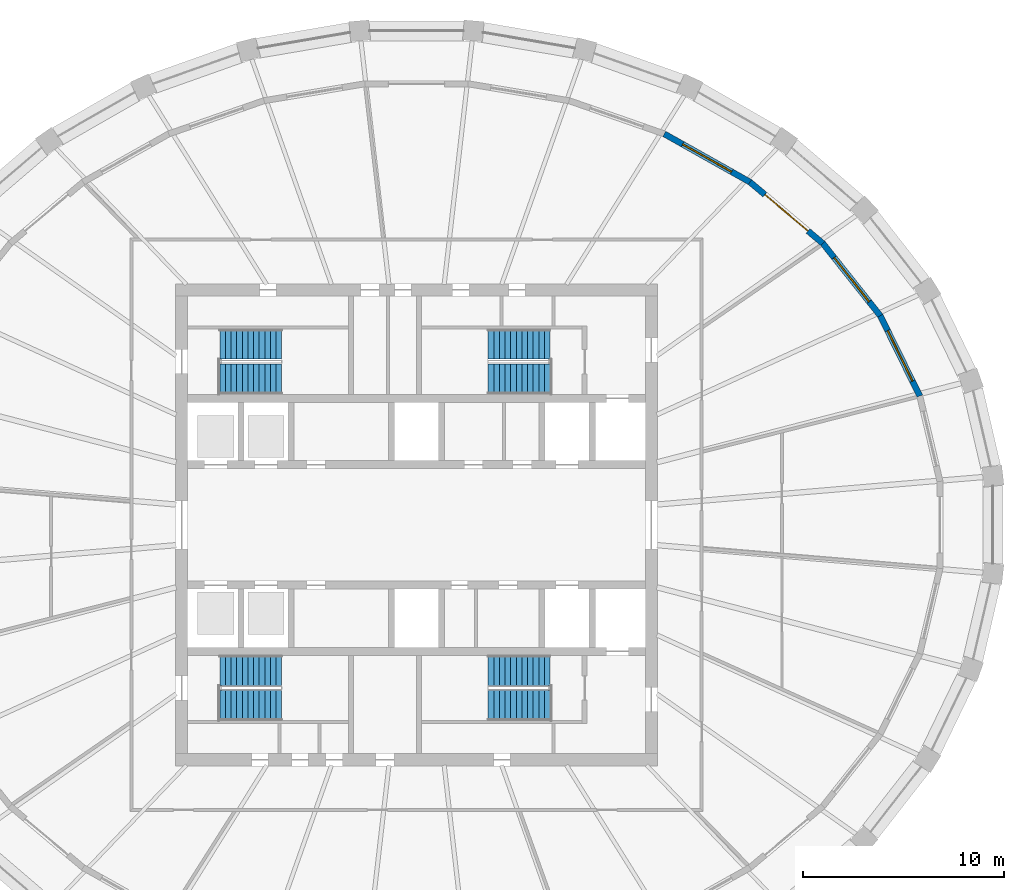
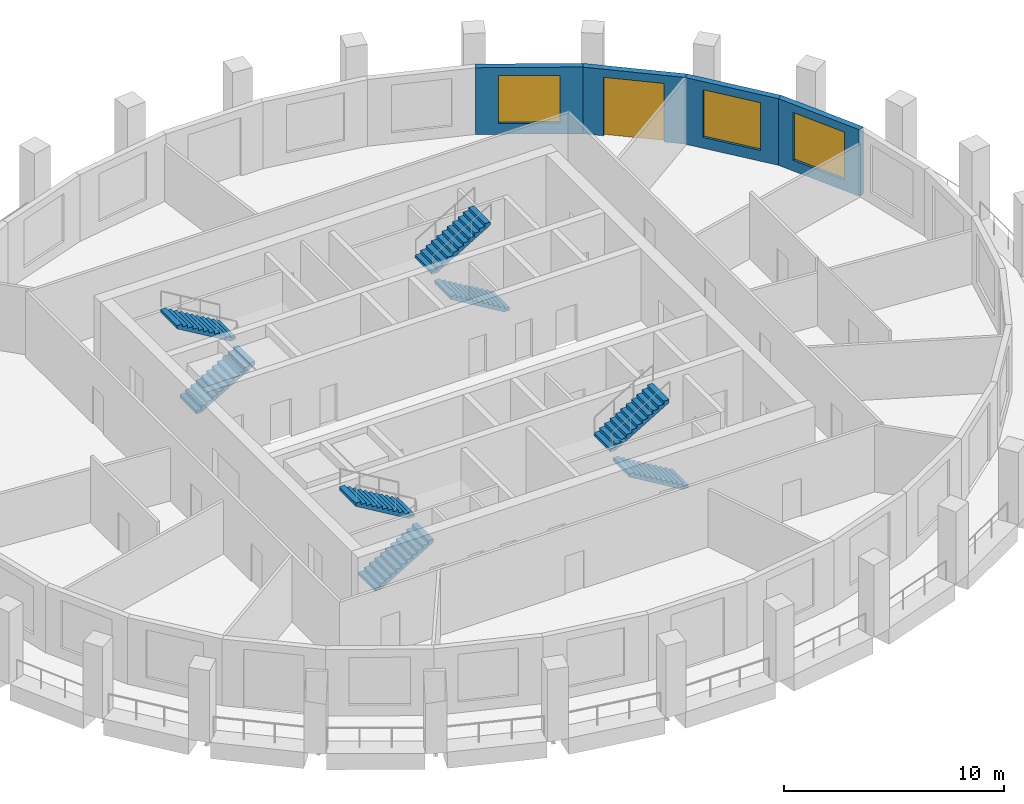
# One storey, part 7 of 10: 8 stair flights, 4 walls, 3 windows, 1 door, 4 openings, 4 elements without a shape of their own.
"""IFC4 building model written with IfcOpenShell, lengths in metres."""

from ifc_helpers import new_model, si_unit, direction, frame, frame_2d, origin, place, context, subcontext, project, spatial, polyline, rectangle, outline, extrude, material, layer, layer_set, type_object, element, fill, aggregate, save


model = new_model("IFC4")

# Units and contexts
model_context = context("Model", 3, precision=1e-05, world=origin(), true_north=direction((0.0, 1.0)))
body_context = subcontext(model_context, "Body", "Model", "MODEL_VIEW")
ifc_project = project(units=[si_unit("LENGTHUNIT", "METRE"), si_unit("AREAUNIT", "SQUARE_METRE"), si_unit("VOLUMEUNIT", "CUBIC_METRE"), si_unit("PLANEANGLEUNIT", "RADIAN"), si_unit("MASSUNIT", "GRAM", prefix="KILO")], contexts=[model_context])

# Site, building, storey
site_placement = place(None, origin())
site = spatial("IfcSite", under=ifc_project, at=site_placement, CompositionType="ELEMENT")
building_placement = place(site_placement, origin())
building = spatial("IfcBuilding", under=site, at=building_placement, Name="Halqa Exchange Tower", CompositionType="ELEMENT")
storey_placement = place(building_placement, frame((0.0, 0.0, 308.300048828125)))
storey = spatial("IfcBuildingStorey", under=building, at=storey_placement, Name="L72", CompositionType="ELEMENT", Elevation=308.300048828125)

# Wall, opening, window
ifc_material_1 = material(Name="Limestone cladding", Category="masonry")
ifc_layer_1 = layer(ifc_material_1, 0.0400390625)
ifc_material_2 = material(Name="Ventilated cavity")
ifc_layer_2 = layer(ifc_material_2, 0.030029296875, ventilated=True)
ifc_material_3 = material(Name="Mineral wool insulation")
ifc_layer_3 = layer(ifc_material_3, 0.10009765625)
ifc_material_4 = material(Name="Concrete C30/37", Category="concrete")
ifc_layer_4 = layer(ifc_material_4, 0.10009765625)
ifc_material_5 = material(Name="Internal plaster")
ifc_layer_5 = layer(ifc_material_5, 0.030029296875)
ifc_layer_set = layer_set([ifc_layer_1, ifc_layer_2, ifc_layer_3, ifc_layer_4, ifc_layer_5], Name="Stone-faced insulated wall 300")
wall_type = type_object("IfcWallType", Name="Stone-faced insulated wall 300", PredefinedType="STANDARD", material=ifc_layer_set)
wall_1_placement = place(storey_placement, frame((25.062744140625, 6.41455078125, 0.0), z_axis=(0.0, 0.0, 1.0), x_axis=(-0.441509050872, 0.897256796017, 0.0)))
wall_1 = element("IfcWall", 1, at=wall_1_placement, inside=storey, type_object=wall_type, Name="Glass-line wall 2", PredefinedType="STANDARD", context=body_context, shape_type="SweptSolid", body=[
    extrude(outline(polyline([(-0.016845703125, -0.14990234375), (4.47412109375, -0.14990234375), (4.44189453125, 0.14990234375), (0.016845703125, 0.14990234375), (-0.016845703125, -0.14990234375)])), origin(), (0.0, 0.0, 1.0), 3.699951171875),
])
opening_1_placement = place(wall_1_placement, frame((0.8291015625, 0.0, 0.60009765625)))
opening_1 = element("IfcOpeningElement", 2, at=opening_1_placement, cuts=wall_1, Name="Opening W-F4-02", PredefinedType="OPENING", context=body_context, shape_type="SweptSolid", body=[
    extrude(rectangle(XDim=2.800048828125, YDim=2.64990234375, at=frame_2d((1.39990234375, 1.324951171875))), frame((0.0, 0.162109375, 0.0), z_axis=(0.0, -1.0, 0.0), x_axis=(1.0, 0.0, 0.0)), (0.0, 0.0, 1.0), 0.323974609375),
])
ifc_material_6 = material(Name="Clear low-emissivity glass in aluminium frame", Category="aluminium")
window_type = type_object("IfcWindowType", Name="Fixed clear glazed window 2800 x 2650", PartitioningType="DOUBLE_PANEL_VERTICAL", PredefinedType="WINDOW", material=ifc_material_6)
window_1_placement = place(opening_1_placement, origin())
window_1 = element("IfcWindow", 3, at=window_1_placement, inside=storey, type_object=window_type, Name="Window 4", OverallHeight=2.64990234375, OverallWidth=2.800048828125, PartitioningType="DOUBLE_PANEL_VERTICAL", PredefinedType="WINDOW", context=body_context, shape_type="SweptSolid", body=[
    extrude(rectangle(XDim=2.800048828125, YDim=2.64990234375, at=frame_2d((1.39990234375, 1.324951171875))), frame((0.0, 0.030029296875, 0.0), z_axis=(0.0, -1.0, 0.0), x_axis=(1.0, 0.0, 0.0)), (0.0, 0.0, 1.0), 0.06005859375),
])
fill(opening_1, window_1)

wall_2_placement = place(storey_placement, frame((23.094482421875, 10.41455078125, 0.0), z_axis=(0.0, 0.0, 1.0), x_axis=(-0.621682706372, 0.78326918272, 0.0)))
wall_2 = element("IfcWall", 4, at=wall_2_placement, inside=storey, type_object=wall_type, Name="Glass-line wall 3", PredefinedType="STANDARD", context=body_context, shape_type="SweptSolid", body=[
    extrude(outline(polyline([(-0.01611328125, -0.14990234375), (4.608154296875, -0.14990234375), (4.577880859375, 0.14990234375), (0.01611328125, 0.14990234375), (-0.01611328125, -0.14990234375)])), origin(), (0.0, 0.0, 1.0), 3.699951171875),
])
opening_2_placement = place(wall_2_placement, frame((0.896484375, 0.0, 0.60009765625)))
opening_2 = element("IfcOpeningElement", 5, at=opening_2_placement, cuts=wall_2, Name="Opening W-F4-03", PredefinedType="OPENING", context=body_context, shape_type="SweptSolid", body=[
    extrude(rectangle(XDim=2.800048828125, YDim=2.64990234375, at=frame_2d((1.39990234375, 1.324951171875))), frame((0.0, 0.162109375, 0.0), z_axis=(0.0, -1.0, 0.0), x_axis=(1.0, 0.0, 0.0)), (0.0, 0.0, 1.0), 0.323974609375),
])
window_2_placement = place(opening_2_placement, origin())
window_2 = element("IfcWindow", 6, at=window_2_placement, inside=storey, type_object=window_type, Name="Window 4", OverallHeight=2.64990234375, OverallWidth=2.800048828125, PartitioningType="DOUBLE_PANEL_VERTICAL", PredefinedType="WINDOW", context=body_context, shape_type="SweptSolid", body=[
    extrude(rectangle(XDim=2.800048828125, YDim=2.64990234375, at=frame_2d((1.39990234375, 1.324951171875))), frame((0.0, 0.030029296875, 0.0), z_axis=(0.0, -1.0, 0.0), x_axis=(1.0, 0.0, 0.0)), (0.0, 0.0, 1.0), 0.06005859375),
])
fill(opening_2, window_2)

# Wall, opening, door
wall_3_placement = place(storey_placement, frame((20.239013671875, 14.01220703125, 0.0), z_axis=(0.0, 0.0, 1.0), x_axis=(-0.765059193792, 0.643959959931, 0.0)))
wall_3 = element("IfcWall", 7, at=wall_3_placement, inside=storey, type_object=wall_type, Name="Glass-line wall 4", PredefinedType="STANDARD", context=body_context, shape_type="SweptSolid", body=[
    extrude(outline(polyline([(-0.01513671875, -0.14990234375), (4.761962890625, -0.14990234375), (4.733642578125, 0.14990234375), (0.01513671875, 0.14990234375), (-0.01513671875, -0.14990234375)])), origin(), (0.0, 0.0, 1.0), 3.699951171875),
])
opening_3_placement = place(wall_3_placement, frame((0.973876953125, 0.0, 0.0)))
opening_3 = element("IfcOpeningElement", 8, at=opening_3_placement, cuts=wall_3, Name="Opening LG-F4-01", PredefinedType="OPENING", context=body_context, shape_type="SweptSolid", body=[
    extrude(rectangle(XDim=2.800048828125, YDim=3.25, at=frame_2d((1.39990234375, 1.625))), frame((0.0, 0.162109375, 0.0), z_axis=(0.0, -1.0, 0.0), x_axis=(1.0, 0.0, 0.0)), (0.0, 0.0, 1.0), 0.323974609375),
])
door_type = type_object("IfcDoorType", Name="Glazed sliding loggia door 2800 x 3250", OperationType="DOUBLE_DOOR_SLIDING", PredefinedType="DOOR", material=ifc_material_6)
door_placement = place(opening_3_placement, origin())
door = element("IfcDoor", 9, at=door_placement, inside=storey, type_object=door_type, Name="Loggia door 1", OperationType="DOUBLE_DOOR_SLIDING", OverallHeight=3.25, OverallWidth=2.800048828125, PredefinedType="DOOR", context=body_context, shape_type="SweptSolid", body=[
    extrude(rectangle(XDim=2.800048828125, YDim=3.25, at=frame_2d((1.39990234375, 1.625))), frame((0.0, 0.02490234375, 0.0), z_axis=(0.0, -1.0, 0.0), x_axis=(1.0, 0.0, 0.0)), (0.0, 0.0, 1.0), 0.050048828125),
])
fill(opening_3, door)

# Wall, opening, window
wall_4_placement = place(storey_placement, frame((16.606689453125, 17.069580078125, 0.0), z_axis=(0.0, 0.0, 1.0), x_axis=(-0.871570211895, 0.490270706588, 0.0)))
wall_4 = element("IfcWall", 10, at=wall_4_placement, inside=storey, type_object=wall_type, Name="Glass-line wall 5", PredefinedType="STANDARD", context=body_context, shape_type="SweptSolid", body=[
    extrude(outline(polyline([(-0.01416015625, -0.14990234375), (4.91064453125, -0.14990234375), (4.88427734375, 0.14990234375), (0.01416015625, 0.14990234375), (-0.01416015625, -0.14990234375)])), origin(), (0.0, 0.0, 1.0), 3.699951171875),
])
opening_4_placement = place(wall_4_placement, frame((1.048828125, 0.0, 0.60009765625)))
opening_4 = element("IfcOpeningElement", 11, at=opening_4_placement, cuts=wall_4, Name="Opening W-F4-05", PredefinedType="OPENING", context=body_context, shape_type="SweptSolid", body=[
    extrude(rectangle(XDim=2.800048828125, YDim=2.64990234375, at=frame_2d((1.39990234375, 1.324951171875))), frame((0.0, 0.162109375, 0.0), z_axis=(0.0, -1.0, 0.0), x_axis=(1.0, 0.0, 0.0)), (0.0, 0.0, 1.0), 0.323974609375),
])
window_3_placement = place(opening_4_placement, origin())
window_3 = element("IfcWindow", 12, at=window_3_placement, inside=storey, type_object=window_type, Name="Window 4", OverallHeight=2.64990234375, OverallWidth=2.800048828125, PartitioningType="DOUBLE_PANEL_VERTICAL", PredefinedType="WINDOW", context=body_context, shape_type="SweptSolid", body=[
    extrude(rectangle(XDim=2.800048828125, YDim=2.64990234375, at=frame_2d((1.39990234375, 1.324951171875))), frame((0.0, 0.030029296875, 0.0), z_axis=(0.0, -1.0, 0.0), x_axis=(1.0, 0.0, 0.0)), (0.0, 0.0, 1.0), 0.06005859375),
])
fill(opening_4, window_3)

# Stair, stair flights
stair_type = type_object("IfcStairType", Name="Exit stair 1500 wide", PredefinedType="HALF_TURN_STAIR", material=ifc_material_4)
stair_1_placement = place(storey_placement, origin())
stair_1 = element("IfcStair", 13, at=stair_1_placement, inside=storey, type_object=stair_type, Name="Exit stair ST1", PredefinedType="HALF_TURN_STAIR")
stair_flight_type = type_object("IfcStairFlightType", Name="Stair flight 1500 wide", PredefinedType="STRAIGHT", material=ifc_material_4)
stair_flight_1_placement = place(storey_placement, frame((-9.800048828125, 7.25, 0.0), z_axis=(0.0, 0.0, 1.0), x_axis=(1.0, 0.0, 0.0)))
stair_flight_1 = element("IfcStairFlight", 14, at=stair_flight_1_placement, type_object=stair_flight_type, Name="ST1 flight 1", NumberOfRisers=12, NumberOfTreads=11, PredefinedType="STRAIGHT", RiserHeight=0.166666667, TreadLength=0.28, context=body_context, shape_type="SweptSolid", body=[
    extrude(outline(polyline([(0.0, 0.0), (0.0, 0.166748046875), (0.280029296875, 0.166748046875), (0.280029296875, 0.333251953125), (0.56005859375, 0.333251953125), (0.56005859375, 0.5), (0.840087890625, 0.5), (0.840087890625, 0.666748046875), (1.1201171875, 0.666748046875), (1.1201171875, 0.833251953125), (1.39990234375, 0.833251953125), (1.39990234375, 1.0), (1.679931640625, 1.0), (1.679931640625, 1.166748046875), (1.9599609375, 1.166748046875), (1.9599609375, 1.333251953125), (2.239990234375, 1.333251953125), (2.239990234375, 1.5), (2.52001953125, 1.5), (2.52001953125, 1.666748046875), (2.800048828125, 1.666748046875), (2.800048828125, 1.833251953125), (3.080078125, 1.833251953125), (3.080078125, 2.0), (3.080078125, 1.658935546875), (0.29296875, 0.0), (0.0, 0.0)])), frame((0.0, 0.75, 0.0), z_axis=(0.0, -1.0, 0.0), x_axis=(1.0, 0.0, 0.0)), (0.0, 0.0, 1.0), 1.5),
])
stair_flight_2_placement = place(storey_placement, frame((-6.719970703125, 9.0, 2.0), z_axis=(0.0, 0.0, 1.0), x_axis=(-1.0, 0.0, 0.0)))
stair_flight_2 = element("IfcStairFlight", 15, at=stair_flight_2_placement, type_object=stair_flight_type, Name="ST1 flight 2", NumberOfRisers=12, NumberOfTreads=11, PredefinedType="STRAIGHT", RiserHeight=0.166666667, TreadLength=0.28, context=body_context, shape_type="SweptSolid", body=[
    extrude(outline(polyline([(0.0, 0.0), (0.0, 0.166748046875), (0.280029296875, 0.166748046875), (0.280029296875, 0.333251953125), (0.56005859375, 0.333251953125), (0.56005859375, 0.5), (0.840087890625, 0.5), (0.840087890625, 0.666748046875), (1.1201171875, 0.666748046875), (1.1201171875, 0.833251953125), (1.39990234375, 0.833251953125), (1.39990234375, 1.0), (1.679931640625, 1.0), (1.679931640625, 1.166748046875), (1.9599609375, 1.166748046875), (1.9599609375, 1.333251953125), (2.239990234375, 1.333251953125), (2.239990234375, 1.5), (2.52001953125, 1.5), (2.52001953125, 1.666748046875), (2.800048828125, 1.666748046875), (2.800048828125, 1.833251953125), (3.080078125, 1.833251953125), (3.080078125, 2.0), (3.080078125, 1.658935546875), (0.29296875, 0.0), (0.0, 0.0)])), frame((0.0, 0.75, 0.0), z_axis=(0.0, -1.0, 0.0), x_axis=(1.0, 0.0, 0.0)), (0.0, 0.0, 1.0), 1.5),
])
aggregate(stair_1, [stair_flight_1, stair_flight_2])

stair_2_placement = place(storey_placement, origin())
stair_2 = element("IfcStair", 16, at=stair_2_placement, inside=storey, type_object=stair_type, Name="Exit stair ST2", PredefinedType="HALF_TURN_STAIR")
stair_flight_3_placement = place(storey_placement, frame((6.64990234375, 7.25, 0.0), z_axis=(0.0, 0.0, 1.0), x_axis=(-1.0, 0.0, 0.0)))
stair_flight_3 = element("IfcStairFlight", 17, at=stair_flight_3_placement, type_object=stair_flight_type, Name="ST2 flight 1", NumberOfRisers=12, NumberOfTreads=11, PredefinedType="STRAIGHT", RiserHeight=0.166666667, TreadLength=0.28, context=body_context, shape_type="SweptSolid", body=[
    extrude(outline(polyline([(0.0, 0.0), (0.0, 0.166748046875), (0.280029296875, 0.166748046875), (0.280029296875, 0.333251953125), (0.56005859375, 0.333251953125), (0.56005859375, 0.5), (0.840087890625, 0.5), (0.840087890625, 0.666748046875), (1.1201171875, 0.666748046875), (1.1201171875, 0.833251953125), (1.39990234375, 0.833251953125), (1.39990234375, 1.0), (1.679931640625, 1.0), (1.679931640625, 1.166748046875), (1.9599609375, 1.166748046875), (1.9599609375, 1.333251953125), (2.239990234375, 1.333251953125), (2.239990234375, 1.5), (2.52001953125, 1.5), (2.52001953125, 1.666748046875), (2.800048828125, 1.666748046875), (2.800048828125, 1.833251953125), (3.080078125, 1.833251953125), (3.080078125, 2.0), (3.080078125, 1.658935546875), (0.29296875, 0.0), (0.0, 0.0)])), frame((0.0, 0.75, 0.0), z_axis=(0.0, -1.0, 0.0), x_axis=(1.0, 0.0, 0.0)), (0.0, 0.0, 1.0), 1.5),
])
stair_flight_4_placement = place(storey_placement, frame((3.570068359375, 9.0, 2.0), z_axis=(0.0, 0.0, 1.0), x_axis=(1.0, 0.0, 0.0)))
stair_flight_4 = element("IfcStairFlight", 18, at=stair_flight_4_placement, type_object=stair_flight_type, Name="ST2 flight 2", NumberOfRisers=12, NumberOfTreads=11, PredefinedType="STRAIGHT", RiserHeight=0.166666667, TreadLength=0.28, context=body_context, shape_type="SweptSolid", body=[
    extrude(outline(polyline([(0.0, 0.0), (0.0, 0.166748046875), (0.280029296875, 0.166748046875), (0.280029296875, 0.333251953125), (0.56005859375, 0.333251953125), (0.56005859375, 0.5), (0.840087890625, 0.5), (0.840087890625, 0.666748046875), (1.1201171875, 0.666748046875), (1.1201171875, 0.833251953125), (1.39990234375, 0.833251953125), (1.39990234375, 1.0), (1.679931640625, 1.0), (1.679931640625, 1.166748046875), (1.9599609375, 1.166748046875), (1.9599609375, 1.333251953125), (2.239990234375, 1.333251953125), (2.239990234375, 1.5), (2.52001953125, 1.5), (2.52001953125, 1.666748046875), (2.800048828125, 1.666748046875), (2.800048828125, 1.833251953125), (3.080078125, 1.833251953125), (3.080078125, 2.0), (3.080078125, 1.658935546875), (0.29296875, 0.0), (0.0, 0.0)])), frame((0.0, 0.75, 0.0), z_axis=(0.0, -1.0, 0.0), x_axis=(1.0, 0.0, 0.0)), (0.0, 0.0, 1.0), 1.5),
])
aggregate(stair_2, [stair_flight_3, stair_flight_4])

stair_3_placement = place(storey_placement, origin())
stair_3 = element("IfcStair", 19, at=stair_3_placement, inside=storey, type_object=stair_type, Name="Exit stair ST3", PredefinedType="HALF_TURN_STAIR")
stair_flight_5_placement = place(storey_placement, frame((-9.800048828125, -9.0, 0.0), z_axis=(0.0, 0.0, 1.0), x_axis=(1.0, 0.0, 0.0)))
stair_flight_5 = element("IfcStairFlight", 20, at=stair_flight_5_placement, type_object=stair_flight_type, Name="ST3 flight 1", NumberOfRisers=12, NumberOfTreads=11, PredefinedType="STRAIGHT", RiserHeight=0.166666667, TreadLength=0.28, context=body_context, shape_type="SweptSolid", body=[
    extrude(outline(polyline([(0.0, 0.0), (0.0, 0.166748046875), (0.280029296875, 0.166748046875), (0.280029296875, 0.333251953125), (0.56005859375, 0.333251953125), (0.56005859375, 0.5), (0.840087890625, 0.5), (0.840087890625, 0.666748046875), (1.1201171875, 0.666748046875), (1.1201171875, 0.833251953125), (1.39990234375, 0.833251953125), (1.39990234375, 1.0), (1.679931640625, 1.0), (1.679931640625, 1.166748046875), (1.9599609375, 1.166748046875), (1.9599609375, 1.333251953125), (2.239990234375, 1.333251953125), (2.239990234375, 1.5), (2.52001953125, 1.5), (2.52001953125, 1.666748046875), (2.800048828125, 1.666748046875), (2.800048828125, 1.833251953125), (3.080078125, 1.833251953125), (3.080078125, 2.0), (3.080078125, 1.658935546875), (0.29296875, 0.0), (0.0, 0.0)])), frame((0.0, 0.75, 0.0), z_axis=(0.0, -1.0, 0.0), x_axis=(1.0, 0.0, 0.0)), (0.0, 0.0, 1.0), 1.5),
])
stair_flight_6_placement = place(storey_placement, frame((-6.719970703125, -7.25, 2.0), z_axis=(0.0, 0.0, 1.0), x_axis=(-1.0, 0.0, 0.0)))
stair_flight_6 = element("IfcStairFlight", 21, at=stair_flight_6_placement, type_object=stair_flight_type, Name="ST3 flight 2", NumberOfRisers=12, NumberOfTreads=11, PredefinedType="STRAIGHT", RiserHeight=0.166666667, TreadLength=0.28, context=body_context, shape_type="SweptSolid", body=[
    extrude(outline(polyline([(0.0, 0.0), (0.0, 0.166748046875), (0.280029296875, 0.166748046875), (0.280029296875, 0.333251953125), (0.56005859375, 0.333251953125), (0.56005859375, 0.5), (0.840087890625, 0.5), (0.840087890625, 0.666748046875), (1.1201171875, 0.666748046875), (1.1201171875, 0.833251953125), (1.39990234375, 0.833251953125), (1.39990234375, 1.0), (1.679931640625, 1.0), (1.679931640625, 1.166748046875), (1.9599609375, 1.166748046875), (1.9599609375, 1.333251953125), (2.239990234375, 1.333251953125), (2.239990234375, 1.5), (2.52001953125, 1.5), (2.52001953125, 1.666748046875), (2.800048828125, 1.666748046875), (2.800048828125, 1.833251953125), (3.080078125, 1.833251953125), (3.080078125, 2.0), (3.080078125, 1.658935546875), (0.29296875, 0.0), (0.0, 0.0)])), frame((0.0, 0.75, 0.0), z_axis=(0.0, -1.0, 0.0), x_axis=(1.0, 0.0, 0.0)), (0.0, 0.0, 1.0), 1.5),
])
aggregate(stair_3, [stair_flight_5, stair_flight_6])

stair_4_placement = place(storey_placement, origin())
stair_4 = element("IfcStair", 22, at=stair_4_placement, inside=storey, type_object=stair_type, Name="Exit stair ST4", PredefinedType="HALF_TURN_STAIR")
stair_flight_7_placement = place(storey_placement, frame((6.64990234375, -9.0, 0.0), z_axis=(0.0, 0.0, 1.0), x_axis=(-1.0, 0.0, 0.0)))
stair_flight_7 = element("IfcStairFlight", 23, at=stair_flight_7_placement, type_object=stair_flight_type, Name="ST4 flight 1", NumberOfRisers=12, NumberOfTreads=11, PredefinedType="STRAIGHT", RiserHeight=0.166666667, TreadLength=0.28, context=body_context, shape_type="SweptSolid", body=[
    extrude(outline(polyline([(0.0, 0.0), (0.0, 0.166748046875), (0.280029296875, 0.166748046875), (0.280029296875, 0.333251953125), (0.56005859375, 0.333251953125), (0.56005859375, 0.5), (0.840087890625, 0.5), (0.840087890625, 0.666748046875), (1.1201171875, 0.666748046875), (1.1201171875, 0.833251953125), (1.39990234375, 0.833251953125), (1.39990234375, 1.0), (1.679931640625, 1.0), (1.679931640625, 1.166748046875), (1.9599609375, 1.166748046875), (1.9599609375, 1.333251953125), (2.239990234375, 1.333251953125), (2.239990234375, 1.5), (2.52001953125, 1.5), (2.52001953125, 1.666748046875), (2.800048828125, 1.666748046875), (2.800048828125, 1.833251953125), (3.080078125, 1.833251953125), (3.080078125, 2.0), (3.080078125, 1.658935546875), (0.29296875, 0.0), (0.0, 0.0)])), frame((0.0, 0.75, 0.0), z_axis=(0.0, -1.0, 0.0), x_axis=(1.0, 0.0, 0.0)), (0.0, 0.0, 1.0), 1.5),
])
stair_flight_8_placement = place(storey_placement, frame((3.570068359375, -7.25, 2.0), z_axis=(0.0, 0.0, 1.0), x_axis=(1.0, 0.0, 0.0)))
stair_flight_8 = element("IfcStairFlight", 24, at=stair_flight_8_placement, type_object=stair_flight_type, Name="ST4 flight 2", NumberOfRisers=12, NumberOfTreads=11, PredefinedType="STRAIGHT", RiserHeight=0.166666667, TreadLength=0.28, context=body_context, shape_type="SweptSolid", body=[
    extrude(outline(polyline([(0.0, 0.0), (0.0, 0.166748046875), (0.280029296875, 0.166748046875), (0.280029296875, 0.333251953125), (0.56005859375, 0.333251953125), (0.56005859375, 0.5), (0.840087890625, 0.5), (0.840087890625, 0.666748046875), (1.1201171875, 0.666748046875), (1.1201171875, 0.833251953125), (1.39990234375, 0.833251953125), (1.39990234375, 1.0), (1.679931640625, 1.0), (1.679931640625, 1.166748046875), (1.9599609375, 1.166748046875), (1.9599609375, 1.333251953125), (2.239990234375, 1.333251953125), (2.239990234375, 1.5), (2.52001953125, 1.5), (2.52001953125, 1.666748046875), (2.800048828125, 1.666748046875), (2.800048828125, 1.833251953125), (3.080078125, 1.833251953125), (3.080078125, 2.0), (3.080078125, 1.658935546875), (0.29296875, 0.0), (0.0, 0.0)])), frame((0.0, 0.75, 0.0), z_axis=(0.0, -1.0, 0.0), x_axis=(1.0, 0.0, 0.0)), (0.0, 0.0, 1.0), 1.5),
])
aggregate(stair_4, [stair_flight_7, stair_flight_8])

save(model, "model.ifc")
